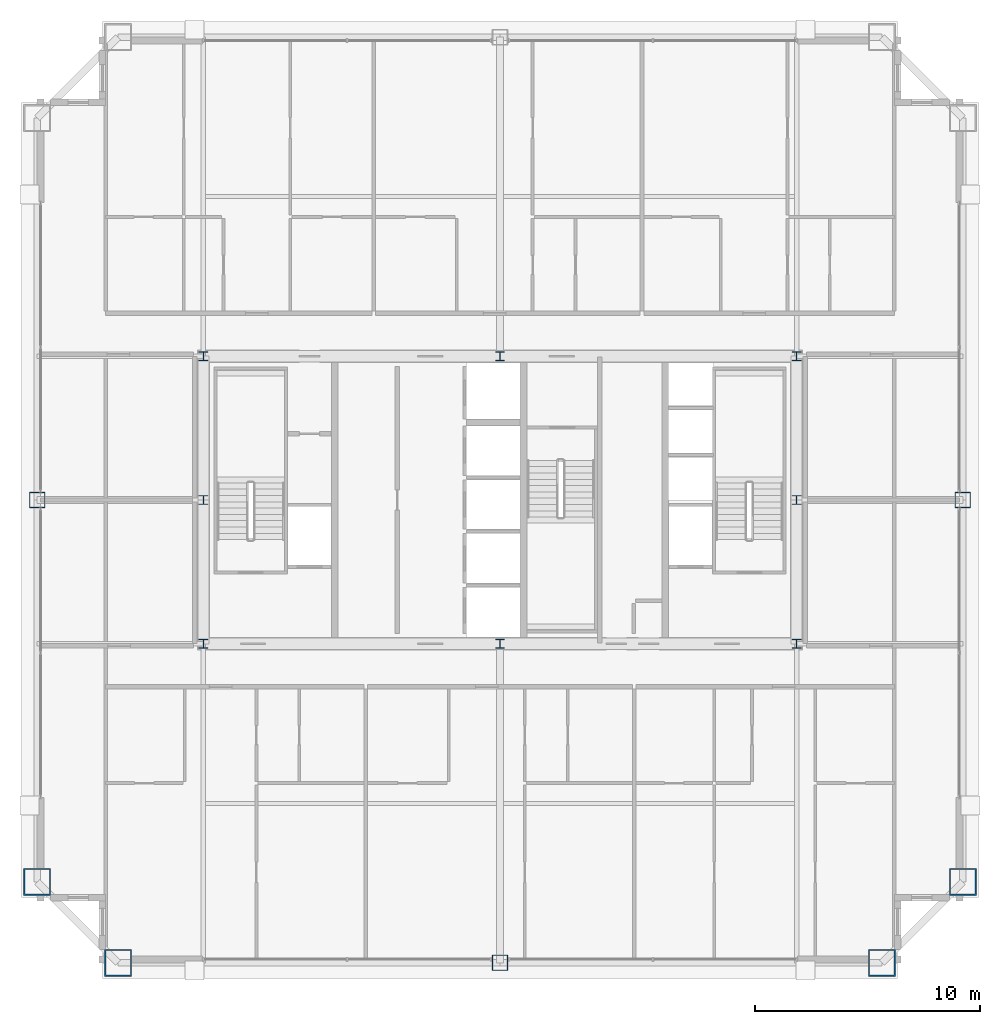
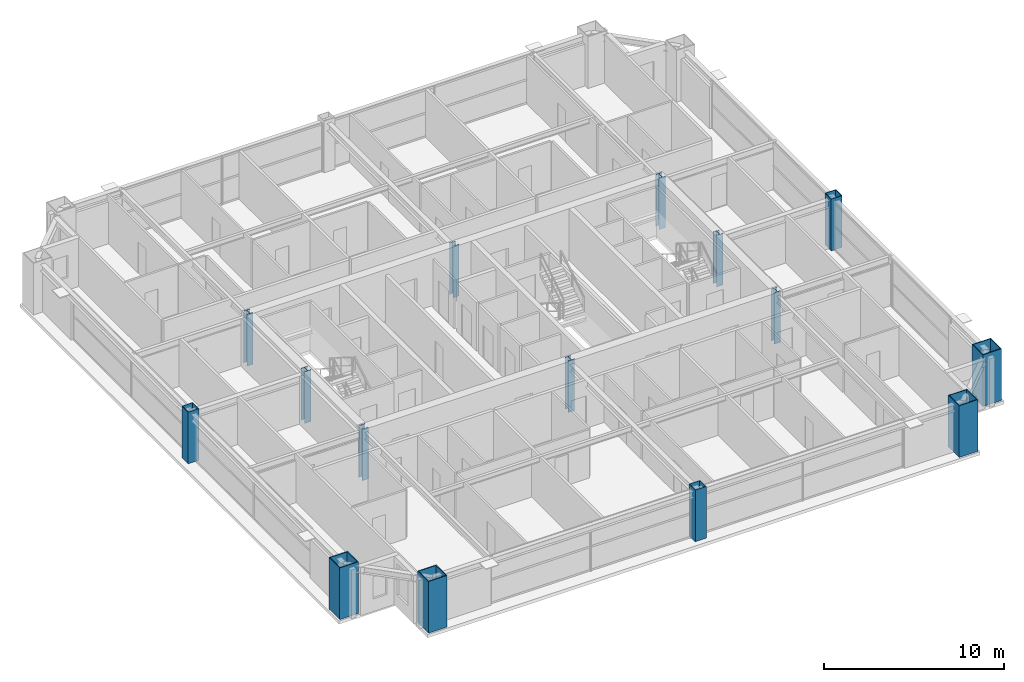
# One storey, part 1 of 37: 15 columns.
"""IFC4 building model written with IfcOpenShell, lengths in metres."""

import ifcopenshell
import ifcopenshell.guid

model = None  # the IFC model being written
_history = None  # IfcOwnerHistory: only IFC2X3 demands one
_inside = {}  # id of a spatial element -> (the spatial element, [elements in it])
_under = {}  # id of a project, library or spatial element -> (it, [spatial elements below it])
_declared = {}  # id of a project -> (the project, [libraries it declares])
_typed = {}  # id of a type object -> (the type object, [elements of that type])
_made_of = {}  # id of a material, layer set ... -> (it, [elements and type objects made of it])


def new_model(schema):
    """Start an empty IFC model of exactly this schema.

    Asked for "IFC4X3", IfcOpenShell would pick the latest addendum, in which some entities
    have other attributes; the version numbers below select the first issue.
    IFC2X3 requires an IfcOwnerHistory on every rooted entity: one is made here for all.
    """
    global model, _history
    if schema == "IFC4X3":
        model = ifcopenshell.file(schema_version=(4, 3, 0, 0))
    else:
        model = ifcopenshell.file(schema=schema)
    _inside.clear()
    _under.clear()
    _declared.clear()
    _typed.clear()
    _made_of.clear()
    _history = None
    if model.schema == "IFC2X3":
        org = make("IfcOrganization", Name="unknown")
        user = make(
            "IfcPersonAndOrganization",
            ThePerson=make("IfcPerson", FamilyName="unknown"),
            TheOrganization=org,
        )
        app = make(
            "IfcApplication",
            ApplicationDeveloper=org,
            Version="unknown",
            ApplicationFullName="unknown",
            ApplicationIdentifier="unknown",
        )
        _history = make(
            "IfcOwnerHistory",
            OwningUser=user,
            OwningApplication=app,
            ChangeAction="ADDED",
            CreationDate=0,
        )
    return model


def make(cls, **values):
    """One entity of the class cls with the attributes given. An attribute that is None is left unset."""
    return model.create_entity(
        cls, **{name: value for name, value in values.items() if value is not None}
    )


def rooted(cls, **values):
    """An entity with a GlobalId (a new one), such as an element, a storey or a relation."""
    return make(cls, GlobalId=ifcopenshell.guid.new(), OwnerHistory=_history, **values)


def si_unit(unit_type, name, prefix=None):
    """IfcSIUnit, for example si_unit("LENGTHUNIT", "METRE", prefix="MILLI")."""
    return make("IfcSIUnit", UnitType=unit_type, Prefix=prefix, Name=name)


def assignment(units):
    """IfcUnitAssignment: the units of a project."""
    return None if units is None else make("IfcUnitAssignment", Units=units)


def point(xyz):
    """IfcCartesianPoint."""
    return None if xyz is None else make("IfcCartesianPoint", Coordinates=xyz)


def direction(xyz):
    """IfcDirection."""
    return None if xyz is None else make("IfcDirection", DirectionRatios=xyz)


def frame(location, z_axis=None, x_axis=None):
    """IfcAxis2Placement3D, a coordinate frame: its origin and axes. An axis left out is left unset."""
    return make(
        "IfcAxis2Placement3D",
        Location=point(location),
        Axis=direction(z_axis),
        RefDirection=direction(x_axis),
    )


def frame_2d(location, x_axis=None):
    """IfcAxis2Placement2D, a coordinate frame in the plane: its origin and x axis."""
    return make(
        "IfcAxis2Placement2D", Location=point(location), RefDirection=direction(x_axis)
    )


def origin():
    """The frame at (0, 0, 0) with its axes left unset."""
    return frame((0.0, 0.0, 0.0))


def origin_2d():
    """The frame at (0, 0) in the plane with its x axis left unset."""
    return frame_2d((0.0, 0.0))


def place(relative_to, where):
    """IfcLocalPlacement: puts the frame where relative to a parent placement (None: the world)."""
    return make(
        "IfcLocalPlacement", PlacementRelTo=relative_to, RelativePlacement=where
    )


def context(
    kind, dimensions, precision=None, world=None, true_north=None, identifier=None
):
    """IfcGeometricRepresentationContext, for example the 3D "Model" context."""
    return make(
        "IfcGeometricRepresentationContext",
        ContextIdentifier=identifier,
        ContextType=kind,
        CoordinateSpaceDimension=dimensions,
        Precision=precision,
        WorldCoordinateSystem=world,
        TrueNorth=true_north,
    )


def subcontext(parent, identifier, kind, view, scale=None):
    """IfcGeometricRepresentationSubContext, for example "Body" below "Model"."""
    return make(
        "IfcGeometricRepresentationSubContext",
        ContextIdentifier=identifier,
        ContextType=kind,
        ParentContext=parent,
        TargetScale=scale,
        TargetView=view,
    )


def project(units=None, contexts=None):
    """IfcProject with its units and contexts."""
    return rooted(
        "IfcProject",
        Name="project",
        RepresentationContexts=contexts,
        UnitsInContext=assignment(units),
    )


def spatial(cls, under=None, at=None, **own):
    """A site, building, storey or space (cls), placed at a placement, below another one or the project."""
    s = rooted(cls, ObjectPlacement=at, **own)
    if under is not None:
        _under.setdefault(under.id(), (under, []))[1].append(s)
    return s


def profile(cls, at=None, kind="AREA", **sizes):
    """A parametric profile (cls). Its sizes go by their IFC names, for example OverallWidth=200.0."""
    return make(cls, ProfileType=kind, Position=at, **sizes)


def hollow_rectangle(**sizes):
    """IfcRectangleHollowProfileDef."""
    return profile("IfcRectangleHollowProfileDef", **sizes)


def i_section(**sizes):
    """IfcIShapeProfileDef."""
    return profile("IfcIShapeProfileDef", **sizes)


def extrude(swept, where, along, depth):
    """IfcExtrudedAreaSolid: the profile swept, set in the frame where, extruded along a direction by depth."""
    return make(
        "IfcExtrudedAreaSolid",
        SweptArea=swept,
        Position=where,
        ExtrudedDirection=direction(along),
        Depth=depth,
    )


def shape(context_of_items, identifier, shape_type, items):
    """IfcShapeRepresentation: the items that make up one representation, for example the "Body"."""
    return make(
        "IfcShapeRepresentation",
        ContextOfItems=context_of_items,
        RepresentationIdentifier=identifier,
        RepresentationType=shape_type,
        Items=items,
    )


def source(mapping_origin, context_of_items, identifier, shape_type, items):
    """IfcRepresentationMap: a shape defined once, which mapped items show again and again."""
    return make(
        "IfcRepresentationMap",
        MappingOrigin=mapping_origin,
        MappedRepresentation=shape(context_of_items, identifier, shape_type, items),
    )


def transform(
    local_origin,
    x_axis=None,
    y_axis=None,
    z_axis=None,
    scale=None,
    scale2=None,
    scale3=None,
    uniform=True,
):
    """IfcCartesianTransformationOperator3D, or its non-uniform kind. x_axis, y_axis, z_axis: its Axis1, 2, 3."""
    if uniform:
        return make(
            "IfcCartesianTransformationOperator3D",
            Axis1=direction(x_axis),
            Axis2=direction(y_axis),
            LocalOrigin=point(local_origin),
            Scale=scale,
            Axis3=direction(z_axis),
        )
    return make(
        "IfcCartesianTransformationOperator3DnonUniform",
        Axis1=direction(x_axis),
        Axis2=direction(y_axis),
        LocalOrigin=point(local_origin),
        Scale=scale,
        Axis3=direction(z_axis),
        Scale2=scale2,
        Scale3=scale3,
    )


def mapped(mapping_source, mapping_target):
    """IfcMappedItem: shows the shape of a source again, moved by a transform."""
    return make(
        "IfcMappedItem", MappingSource=mapping_source, MappingTarget=mapping_target
    )


def material(Name=None, Category=None):
    """IfcMaterial."""
    return make("IfcMaterial", Name=Name, Category=Category)


def material_profile(
    of_material, cross_section, Name=None, Category=None, Priority=None
):
    """IfcMaterialProfile: a cross section and its material."""
    return make(
        "IfcMaterialProfile",
        Name=Name,
        Material=of_material,
        Profile=cross_section,
        Priority=Priority,
        Category=Category,
    )


def profile_set(profiles, Name=None, composite=None):
    """IfcMaterialProfileSet."""
    return make(
        "IfcMaterialProfileSet",
        Name=Name,
        MaterialProfiles=profiles,
        CompositeProfile=composite,
    )


def made_of(thing, what):
    """Note that an element or type object is made of a material, layer set ...; save() writes the relation."""
    if what is not None:
        _made_of.setdefault(what.id(), (what, []))[1].append(thing)
    return thing


def type_object(cls, material=None, **own):
    """A type object (cls), such as IfcWallType, which elements share."""
    return made_of(rooted(cls, **own), material)


def element(
    cls,
    number,
    at=None,
    inside=None,
    cuts=None,
    type_object=None,
    material=None,
    context=None,
    identifier="Body",
    shape_type=None,
    held_by="IfcProductDefinitionShape",
    body=None,
    shapes=None,
    **own,
):
    """One element of the class cls, such as IfcWall. Its Tag is "e" and its number.

    at: its placement. inside: the storey or other place that contains it. cuts: it is an
    opening in that element (IfcRelVoidsElement). A single representation is given by context,
    identifier, shape_type and body (its items); several are given by shapes. held_by: the class
    of the entity that holds the representations. save() writes the other relations.
    """
    e = rooted(cls, Tag="e%d" % number, ObjectPlacement=at, **own)
    if body is not None:
        shapes = [shape(context, identifier, shape_type, body)]
    if shapes is not None:
        e.Representation = make(held_by, Representations=shapes)
    if inside is not None:
        _inside.setdefault(inside.id(), (inside, []))[1].append(e)
    if cuts is not None:
        rooted(
            "IfcRelVoidsElement", RelatingBuildingElement=cuts, RelatedOpeningElement=e
        )
    if type_object is not None:
        _typed.setdefault(type_object.id(), (type_object, []))[1].append(e)
    return made_of(e, material)


def aggregate(whole, parts):
    """IfcRelAggregates: a whole, such as a stair, and the parts it consists of."""
    return rooted("IfcRelAggregates", RelatingObject=whole, RelatedObjects=parts)


def save(model, path):
    """Write the relations noted so far, then the file.

    IfcRelAggregates (storeys below a building ...), IfcRelContainedInSpatialStructure (elements
    in a storey), IfcRelDefinesByType, IfcRelAssociatesMaterial and IfcRelDeclares: one each for
    every whole, place, type object, material and project.
    """
    for whole, parts in _under.values():
        aggregate(whole, parts)
    for where, things in _inside.values():
        rooted(
            "IfcRelContainedInSpatialStructure",
            RelatedElements=things,
            RelatingStructure=where,
        )
    for kind, things in _typed.values():
        rooted("IfcRelDefinesByType", RelatedObjects=things, RelatingType=kind)
    for what, things in _made_of.values():
        rooted("IfcRelAssociatesMaterial", RelatedObjects=things, RelatingMaterial=what)
    for by, libraries in _declared.values():
        rooted("IfcRelDeclares", RelatingContext=by, RelatedDefinitions=libraries)
    model.write(path)


model = new_model("IFC4")

# Units and contexts
model_context = context("Model", 3, precision=1e-05, world=origin(), true_north=direction((0.0, 1.0)))
body_context = subcontext(model_context, "Body", "Model", "MODEL_VIEW")
ifc_project = project(units=[si_unit("LENGTHUNIT", "METRE"), si_unit("AREAUNIT", "SQUARE_METRE"), si_unit("VOLUMEUNIT", "CUBIC_METRE"), si_unit("PLANEANGLEUNIT", "RADIAN"), si_unit("MASSUNIT", "GRAM", prefix="KILO"), si_unit("THERMODYNAMICTEMPERATUREUNIT", "KELVIN"), si_unit("POWERUNIT", "WATT")], contexts=[model_context])

# Site, building, storey
site_placement = place(None, origin())
site = spatial("IfcSite", under=ifc_project, at=site_placement, CompositionType="ELEMENT")
building_placement = place(site_placement, origin())
building = spatial("IfcBuilding", under=site, at=building_placement, Name="Yuzanri Waterfront Tower", CompositionType="ELEMENT")
storey_placement = place(building_placement, frame((0.0, 0.0, 252.10009765625)))
storey = spatial("IfcBuildingStorey", under=building, at=storey_placement, Name="L67", CompositionType="ELEMENT", Elevation=252.10009765625)

# Columns
ifc_material_1 = material(Name="Steel Q355B", Category="steel")
ifc_material_profile_1 = material_profile(ifc_material_1, i_section(OverallWidth=0.39990234375, OverallDepth=0.39990234375, WebThickness=0.012939453125, FlangeThickness=0.02099609375, at=origin_2d()), Name="HW 400x400x13x21")
ifc_profile_set_1 = profile_set([ifc_material_profile_1], Name="Steel Q355B")
column_type_1 = type_object("IfcColumnType", Name="Core Post Q355B HW 400x400x13x21", PredefinedType="COLUMN", material=ifc_profile_set_1)
shared_shape_1 = source(origin(), body_context, "Body", "SweptSolid", [
    extrude(i_section(OverallWidth=0.39990234375, OverallDepth=0.39990234375, WebThickness=0.012939453125, FlangeThickness=0.02099609375, at=origin_2d()), origin(), (0.0, 0.0, 1.0), 3.5),
])
for number, where, z_axis, x_axis, name in (
    (1, (23.800048828125, 19.39990234375, 0.0), (0.0, 0.0, 1.0), (1.0, 0.0, 0.0), "L67 Core Boundary Column CP1"),
    (2, (37.0, 19.39990234375, 0.0), (0.0, 0.0, 1.0), (1.0, 0.0, 0.0), "L67 Core Boundary Column CP2"),
    (3, (50.199951171875, 19.39990234375, 0.0), (0.0, 0.0, 1.0), (1.0, 0.0, 0.0), "L67 Core Boundary Column CP3"),
    (4, (23.800048828125, 25.800048828125, 0.0), (0.0, 0.0, 1.0), (1.0, 0.0, 0.0), "L67 Core Boundary Column CP4"),
    (5, (50.199951171875, 25.800048828125, 0.0), (0.0, 0.0, 1.0), (1.0, 0.0, 0.0), "L67 Core Boundary Column CP5"),
    (6, (23.800048828125, 32.199951171875, 0.0), (0.0, 0.0, 1.0), (1.0, 0.0, 0.0), "L67 Core Boundary Column CP6"),
    (7, (37.0, 32.199951171875, 0.0), (0.0, 0.0, 1.0), (1.0, 0.0, 0.0), "L67 Core Boundary Column CP7"),
    (8, (50.199951171875, 32.199951171875, 0.0), (0.0, 0.0, 1.0), (1.0, 0.0, 0.0), "L67 Core Boundary Column CP8"),
):
    element("IfcColumn", number, at=place(storey_placement, frame(where, z_axis=z_axis, x_axis=x_axis)), inside=storey, type_object=column_type_1, Name=name, PredefinedType="COLUMN", context=body_context, shape_type="MappedRepresentation", body=[
        mapped(shared_shape_1, transform((0.0, 0.0, 0.0), scale=1.0)),
    ])
ifc_material_2 = material(Name="Steel Q390GJC", Category="steel")
ifc_material_profile_2 = material_profile(ifc_material_2, hollow_rectangle(XDim=1.199951171875, YDim=1.199951171875, WallThickness=0.054931640625, at=origin_2d()), Name="RHS 1200x1200x55")
ifc_profile_set_2 = profile_set([ifc_material_profile_2], Name="Steel Q390GJC")
column_type_2 = type_object("IfcColumnType", Name="Mega Column Q390GJC RHS 1200x1200x55", PredefinedType="COLUMN", material=ifc_profile_set_2)
shared_shape_2 = source(origin(), body_context, "Body", "SweptSolid", [
    extrude(hollow_rectangle(XDim=1.199951171875, YDim=1.199951171875, WallThickness=0.054931640625, at=origin_2d()), origin(), (0.0, 0.0, 1.0), 3.5),
])
for number, where, z_axis, x_axis, name in (
    (9, (20.0, 5.199951171875, 0.0), (0.0, 0.0, 1.0), (1.0, 0.0, 0.0), "L67 Perimeter Mega Column S1"),
    (10, (54.0, 5.199951171875, 0.0), (0.0, 0.0, 1.0), (1.0, 0.0, 0.0), "L67 Perimeter Mega Column S3"),
    (11, (16.39990234375, 8.800048828125, 0.0), (0.0, 0.0, 1.0), (1.0, 0.0, 0.0), "L67 Perimeter Mega Column W1"),
    (12, (57.60009765625, 8.800048828125, 0.0), (0.0, 0.0, 1.0), (1.0, 0.0, 0.0), "L67 Perimeter Mega Column E1"),
):
    element("IfcColumn", number, at=place(storey_placement, frame(where, z_axis=z_axis, x_axis=x_axis)), inside=storey, type_object=column_type_2, Name=name, PredefinedType="COLUMN", context=body_context, shape_type="MappedRepresentation", body=[
        mapped(shared_shape_2, transform((0.0, 0.0, 0.0), scale=1.0)),
    ])
ifc_material_3 = material(Name="Steel Q355B", Category="steel")
ifc_material_profile_3 = material_profile(ifc_material_3, hollow_rectangle(XDim=0.699951171875, YDim=0.699951171875, WallThickness=0.031982421875, at=origin_2d()), Name="RHS 700x700x32")
ifc_profile_set_3 = profile_set([ifc_material_profile_3], Name="Steel Q355B")
column_type_3 = type_object("IfcColumnType", Name="Frame Column Q355B RHS 700x700x32", PredefinedType="COLUMN", material=ifc_profile_set_3)
shared_shape_3 = source(origin(), body_context, "Body", "SweptSolid", [
    extrude(hollow_rectangle(XDim=0.699951171875, YDim=0.699951171875, WallThickness=0.031982421875, at=origin_2d()), origin(), (0.0, 0.0, 1.0), 3.5),
])
for number, where, z_axis, x_axis, name in (
    (13, (37.0, 5.199951171875, 0.0), (0.0, 0.0, 1.0), (1.0, 0.0, 0.0), "L67 Perimeter Frame Column S2"),
    (14, (16.39990234375, 25.800048828125, 0.0), (0.0, 0.0, 1.0), (1.0, 0.0, 0.0), "L67 Perimeter Frame Column W2"),
    (15, (57.60009765625, 25.800048828125, 0.0), (0.0, 0.0, 1.0), (1.0, 0.0, 0.0), "L67 Perimeter Frame Column E2"),
):
    element("IfcColumn", number, at=place(storey_placement, frame(where, z_axis=z_axis, x_axis=x_axis)), inside=storey, type_object=column_type_3, Name=name, PredefinedType="COLUMN", context=body_context, shape_type="MappedRepresentation", body=[
        mapped(shared_shape_3, transform((0.0, 0.0, 0.0), scale=1.0)),
    ])

save(model, "model.ifc")
